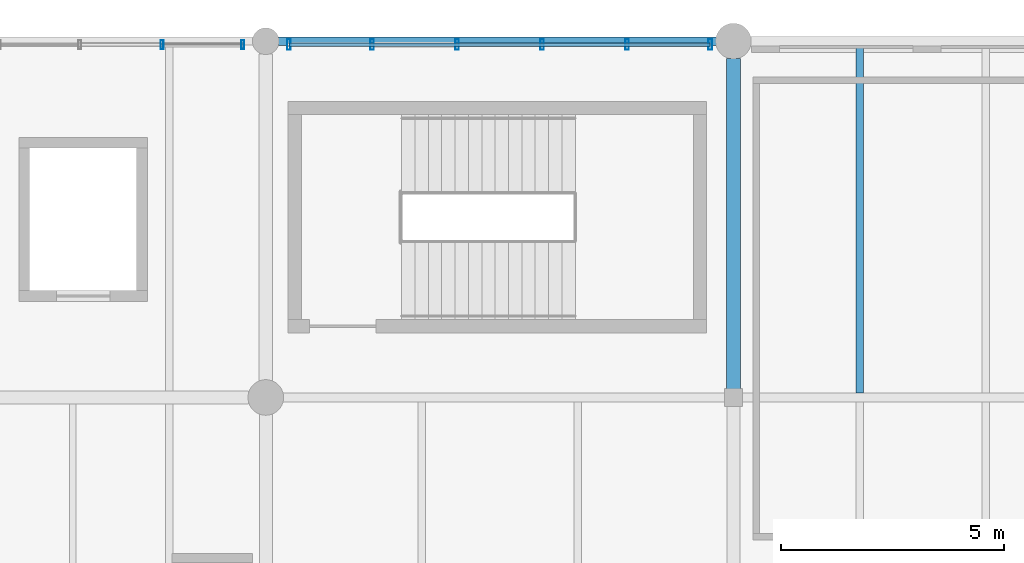
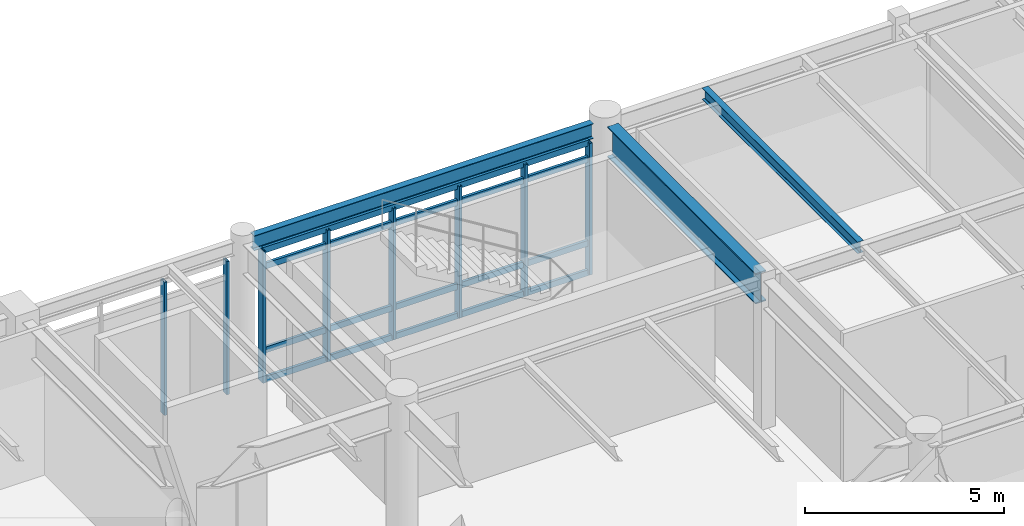
# One storey, part 144 of 200: 12 members, 3 beams, 2 elements without a shape of their own.
"""IFC4 building model written with IfcOpenShell, lengths in metres."""

from ifc_helpers import new_model, si_unit, direction, frame, origin, origin_2d, place, context, subcontext, project, spatial, hollow_rectangle, i_section, extrude, material, material_profile, profile_set, type_object, element, aggregate, save


model = new_model("IFC4")

# Units and contexts
model_context = context("Model", 3, precision=1e-05, world=origin(), true_north=direction((0.0, 1.0)))
body_context = subcontext(model_context, "Body", "Model", "MODEL_VIEW")
ifc_project = project(units=[si_unit("LENGTHUNIT", "METRE"), si_unit("AREAUNIT", "SQUARE_METRE"), si_unit("VOLUMEUNIT", "CUBIC_METRE"), si_unit("PLANEANGLEUNIT", "RADIAN"), si_unit("MASSUNIT", "GRAM", prefix="KILO"), si_unit("THERMODYNAMICTEMPERATUREUNIT", "KELVIN"), si_unit("POWERUNIT", "WATT")], contexts=[model_context])

# Site, building, storey
site_placement = place(None, origin())
site = spatial("IfcSite", under=ifc_project, at=site_placement, CompositionType="ELEMENT")
building_placement = place(site_placement, origin())
building = spatial("IfcBuilding", under=site, at=building_placement, Name="Tepalcoro Natatorium and Aquatics Centre", CompositionType="ELEMENT")
storey_placement = place(building_placement, frame((0.0, 0.0, 5.39990234375)))
storey = spatial("IfcBuildingStorey", under=building, at=storey_placement, Name="L01", CompositionType="ELEMENT", Elevation=5.39990234375)

# Beam
ifc_material_1 = material(Name="Steel ASTM A992 Grade 50 (Fy 345 MPa)", Category="steel")
ifc_material_profile_1 = material_profile(ifc_material_1, i_section(OverallWidth=0.31005859375, OverallDepth=0.931884765625, WebThickness=0.02099609375, FlangeThickness=0.034912109375, FilletRadius=0.013916015625, at=origin_2d()), Name="W36X210")
ifc_profile_set_1 = profile_set([ifc_material_profile_1], Name="Steel ASTM A992 Grade 50 (Fy 345 MPa)")
beam_type_1 = type_object("IfcBeamType", Name="BM_W36x210", PredefinedType="BEAM", material=ifc_profile_set_1)
beam_1_placement = place(storey_placement, frame((142.0, 110.18505859375, 4.0791015625), z_axis=(0.0, 1.0, 0.0), x_axis=(-1.0, 0.0, 0.0)))
element("IfcBeam", 1, at=beam_1_placement, inside=storey, type_object=beam_type_1, Name="V5 L01 Grid Girder Y", PredefinedType="BEAM", context=body_context, shape_type="SweptSolid", body=[
    extrude(i_section(OverallWidth=0.31005859375, OverallDepth=0.931884765625, WebThickness=0.02099609375, FlangeThickness=0.034912109375, FilletRadius=0.013916015625, at=origin_2d()), origin(), (0.0, 0.0, 1.0), 7.429931640625),
])

# Curtain wall, members
ifc_material_2 = material(Name="Bronze-Anodised Extruded Aluminium Alloy EN AW-6063 T6", Category="aluminium")
curtain_wall_type_1 = type_object("IfcCurtainWallType", Name="CW_LEAN_T2_EW", PredefinedType="USERDEFINED", material=ifc_material_2)
curtain_wall_1_placement = place(storey_placement, origin())
curtain_wall_1 = element("IfcCurtainWall", 2, at=curtain_wall_1_placement, inside=storey, type_object=curtain_wall_type_1, Name="V5 L01 N Unitised Curtain Wall Bay 4", ObjectType="FACETED SOLAR GLAZING", PredefinedType="USERDEFINED")
ifc_material_profile_2 = material_profile(ifc_material_2, hollow_rectangle(XDim=0.070068359375, YDim=0.199951171875, WallThickness=0.0048828125, at=origin_2d()), Name="AL70X200X5")
ifc_profile_set_2 = profile_set([ifc_material_profile_2], Name="Bronze-Anodised Extruded Aluminium Alloy EN AW-6063 T6")
member_type_1 = type_object("IfcMemberType", Name="CW_MUL_70x200", PredefinedType="MULLION", material=ifc_profile_set_2)
member_1_placement = place(storey_placement, frame((129.17333984375, 117.919921875, 0.02001953125), z_axis=(0.0, 0.0, 1.0), x_axis=(1.0, 0.0, 0.0)))
member_1 = element("IfcMember", 3, at=member_1_placement, type_object=member_type_1, Name="CW_LEAN_T2_EW Curtain Wall Mullion", PredefinedType="MULLION", context=body_context, shape_type="SweptSolid", body=[
    extrude(hollow_rectangle(XDim=0.070068359375, YDim=0.199951171875, WallThickness=0.0048828125, at=origin_2d()), origin(), (0.0, 0.0, 1.0), 4.0771484375),
])
member_2_placement = place(storey_placement, frame((130.97998046875, 117.919921875, 0.02001953125), z_axis=(0.0, 0.0, 1.0), x_axis=(1.0, 0.0, 0.0)))
member_2 = element("IfcMember", 4, at=member_2_placement, type_object=member_type_1, Name="CW_LEAN_T2_EW Curtain Wall Mullion", PredefinedType="MULLION", context=body_context, shape_type="SweptSolid", body=[
    extrude(hollow_rectangle(XDim=0.070068359375, YDim=0.199951171875, WallThickness=0.0048828125, at=origin_2d()), origin(), (0.0, 0.0, 1.0), 4.0771484375),
])
aggregate(curtain_wall_1, [member_1, member_2])

curtain_wall_type_2 = type_object("IfcCurtainWallType", Name="CW_V1_PLINTH", PredefinedType="USERDEFINED", material=ifc_material_2)
curtain_wall_2_placement = place(storey_placement, origin())
curtain_wall_2 = element("IfcCurtainWall", 5, at=curtain_wall_2_placement, inside=storey, type_object=curtain_wall_type_2, Name="V5 L01 N Unitised Curtain Wall Bay 5", ObjectType="UNITISED STOREFRONT", PredefinedType="USERDEFINED")
ifc_material_profile_3 = material_profile(ifc_material_2, hollow_rectangle(XDim=0.080078125, YDim=0.239990234375, WallThickness=0.0048828125, at=origin_2d()), Name="AL80X240X5")
ifc_profile_set_3 = profile_set([ifc_material_profile_3], Name="Bronze-Anodised Extruded Aluminium Alloy EN AW-6063 T6")
member_type_2 = type_object("IfcMemberType", Name="CW_MUL_80x240", PredefinedType="MULLION", material=ifc_profile_set_3)
member_3_placement = place(storey_placement, frame((132.02001953125, 117.923828125, 0.02001953125), z_axis=(0.0, 0.0, 1.0), x_axis=(1.0, 0.0, 0.0)))
member_3 = element("IfcMember", 6, at=member_3_placement, type_object=member_type_2, Name="CW_V1_PLINTH Curtain Wall Mullion", PredefinedType="MULLION", context=body_context, shape_type="SweptSolid", body=[
    extrude(hollow_rectangle(XDim=0.080078125, YDim=0.239990234375, WallThickness=0.0048828125, at=origin_2d()), origin(), (0.0, 0.0, 1.0), 4.030029296875),
])
member_4_placement = place(storey_placement, frame((133.887939453125, 117.923828125, 0.02001953125), z_axis=(0.0, 0.0, 1.0), x_axis=(1.0, 0.0, 0.0)))
member_4 = element("IfcMember", 7, at=member_4_placement, type_object=member_type_2, Name="CW_V1_PLINTH Curtain Wall Mullion", PredefinedType="MULLION", context=body_context, shape_type="SweptSolid", body=[
    extrude(hollow_rectangle(XDim=0.080078125, YDim=0.239990234375, WallThickness=0.0048828125, at=origin_2d()), origin(), (0.0, 0.0, 1.0), 4.030029296875),
])
member_5_placement = place(storey_placement, frame((135.7958984375, 117.923828125, 0.02001953125), z_axis=(0.0, 0.0, 1.0), x_axis=(1.0, 0.0, 0.0)))
member_5 = element("IfcMember", 8, at=member_5_placement, type_object=member_type_2, Name="CW_V1_PLINTH Curtain Wall Mullion", PredefinedType="MULLION", context=body_context, shape_type="SweptSolid", body=[
    extrude(hollow_rectangle(XDim=0.080078125, YDim=0.239990234375, WallThickness=0.0048828125, at=origin_2d()), origin(), (0.0, 0.0, 1.0), 4.030029296875),
])
member_6_placement = place(storey_placement, frame((137.7041015625, 117.923828125, 0.02001953125), z_axis=(0.0, 0.0, 1.0), x_axis=(1.0, 0.0, 0.0)))
member_6 = element("IfcMember", 9, at=member_6_placement, type_object=member_type_2, Name="CW_V1_PLINTH Curtain Wall Mullion", PredefinedType="MULLION", context=body_context, shape_type="SweptSolid", body=[
    extrude(hollow_rectangle(XDim=0.080078125, YDim=0.239990234375, WallThickness=0.0048828125, at=origin_2d()), origin(), (0.0, 0.0, 1.0), 4.030029296875),
])
member_7_placement = place(storey_placement, frame((139.612060546875, 117.923828125, 0.02001953125), z_axis=(0.0, 0.0, 1.0), x_axis=(1.0, 0.0, 0.0)))
member_7 = element("IfcMember", 10, at=member_7_placement, type_object=member_type_2, Name="CW_V1_PLINTH Curtain Wall Mullion", PredefinedType="MULLION", context=body_context, shape_type="SweptSolid", body=[
    extrude(hollow_rectangle(XDim=0.080078125, YDim=0.239990234375, WallThickness=0.0048828125, at=origin_2d()), origin(), (0.0, 0.0, 1.0), 4.030029296875),
])
member_8_placement = place(storey_placement, frame((141.47998046875, 117.923828125, 0.02001953125), z_axis=(0.0, 0.0, 1.0), x_axis=(1.0, 0.0, 0.0)))
member_8 = element("IfcMember", 11, at=member_8_placement, type_object=member_type_2, Name="CW_V1_PLINTH Curtain Wall Mullion", PredefinedType="MULLION", context=body_context, shape_type="SweptSolid", body=[
    extrude(hollow_rectangle(XDim=0.080078125, YDim=0.239990234375, WallThickness=0.0048828125, at=origin_2d()), origin(), (0.0, 0.0, 1.0), 4.030029296875),
])
ifc_material_profile_4 = material_profile(ifc_material_2, hollow_rectangle(XDim=0.080078125, YDim=0.179931640625, WallThickness=0.0048828125, at=origin_2d()), Name="AL80X180X5")
ifc_profile_set_4 = profile_set([ifc_material_profile_4], Name="Bronze-Anodised Extruded Aluminium Alloy EN AW-6063 T6")
member_type_3 = type_object("IfcMemberType", Name="CW_TRN_80x180", PredefinedType="USERDEFINED", material=ifc_profile_set_4)
member_9_placement = place(storey_placement, frame((132.030029296875, 117.923828125, 0.050048828125), z_axis=(1.0, 0.0, 0.0), x_axis=(0.0, 1.0, 0.0)))
member_9 = element("IfcMember", 12, at=member_9_placement, type_object=member_type_3, Name="CW_V1_PLINTH Curtain Wall Transom", ObjectType="TRANSOM", PredefinedType="USERDEFINED", context=body_context, shape_type="SweptSolid", body=[
    extrude(hollow_rectangle(XDim=0.080078125, YDim=0.179931640625, WallThickness=0.0048828125, at=origin_2d()), origin(), (0.0, 0.0, 1.0), 9.43994140625),
])
member_10_placement = place(storey_placement, frame((132.030029296875, 117.923828125, 0.9501953125), z_axis=(1.0, 0.0, 0.0), x_axis=(0.0, 1.0, 0.0)))
member_10 = element("IfcMember", 13, at=member_10_placement, type_object=member_type_3, Name="CW_V1_PLINTH Curtain Wall Transom", ObjectType="TRANSOM", PredefinedType="USERDEFINED", context=body_context, shape_type="SweptSolid", body=[
    extrude(hollow_rectangle(XDim=0.080078125, YDim=0.179931640625, WallThickness=0.0048828125, at=origin_2d()), origin(), (0.0, 0.0, 1.0), 9.43994140625),
])
member_11_placement = place(storey_placement, frame((132.030029296875, 117.923828125, 3.52001953125), z_axis=(1.0, 0.0, 0.0), x_axis=(0.0, 1.0, 0.0)))
member_11 = element("IfcMember", 14, at=member_11_placement, type_object=member_type_3, Name="CW_V1_PLINTH Curtain Wall Transom", ObjectType="TRANSOM", PredefinedType="USERDEFINED", context=body_context, shape_type="SweptSolid", body=[
    extrude(hollow_rectangle(XDim=0.080078125, YDim=0.179931640625, WallThickness=0.0048828125, at=origin_2d()), origin(), (0.0, 0.0, 1.0), 9.43994140625),
])
member_12_placement = place(storey_placement, frame((132.030029296875, 117.923828125, 4.02001953125), z_axis=(1.0, 0.0, 0.0), x_axis=(0.0, 1.0, 0.0)))
member_12 = element("IfcMember", 15, at=member_12_placement, type_object=member_type_3, Name="CW_V1_PLINTH Curtain Wall Transom", ObjectType="TRANSOM", PredefinedType="USERDEFINED", context=body_context, shape_type="SweptSolid", body=[
    extrude(hollow_rectangle(XDim=0.080078125, YDim=0.179931640625, WallThickness=0.0048828125, at=origin_2d()), origin(), (0.0, 0.0, 1.0), 9.43994140625),
])
aggregate(curtain_wall_2, [member_3, member_4, member_5, member_6, member_7, member_8, member_9, member_10, member_11, member_12])

# Beams
ifc_material_profile_5 = material_profile(ifc_material_1, i_section(OverallWidth=0.1708984375, OverallDepth=0.35107421875, WebThickness=0.007080078125, FlangeThickness=0.010009765625, FilletRadius=0.013916015625, at=origin_2d()), Name="W14X30")
ifc_profile_set_5 = profile_set([ifc_material_profile_5], Name="Steel ASTM A992 Grade 50 (Fy 345 MPa)")
beam_type_2 = type_object("IfcBeamType", Name="JS_W14x30", PredefinedType="JOIST", material=ifc_profile_set_5)
beam_2_placement = place(storey_placement, frame((144.833251953125, 110.096435546875, 4.36962890625), z_axis=(0.0, 1.0, 0.0), x_axis=(-1.0, 0.0, 0.0)))
element("IfcBeam", 16, at=beam_2_placement, inside=storey, type_object=beam_type_2, Name="V5 L01 Floor Joist", PredefinedType="JOIST", context=body_context, shape_type="SweptSolid", body=[
    extrude(i_section(OverallWidth=0.1708984375, OverallDepth=0.35107421875, WebThickness=0.007080078125, FlangeThickness=0.010009765625, FilletRadius=0.013916015625, at=origin_2d()), origin(), (0.0, 0.0, 1.0), 7.798583984375),
])
ifc_material_profile_6 = material_profile(ifc_material_1, i_section(OverallWidth=0.19091796875, OverallDepth=0.4599609375, WebThickness=0.010009765625, FlangeThickness=0.01611328125, FilletRadius=0.013916015625, at=origin_2d()), Name="W18X55")
ifc_profile_set_6 = profile_set([ifc_material_profile_6], Name="Steel ASTM A992 Grade 50 (Fy 345 MPa)")
beam_type_3 = type_object("IfcBeamType", Name="SP_W18x55", PredefinedType="SPANDREL", material=ifc_profile_set_6)
beam_3_placement = place(storey_placement, frame((131.784912109375, 118.0, 4.315185546875), z_axis=(1.0, 0.0, 0.0), x_axis=(0.0, 1.0, 0.0)))
element("IfcBeam", 17, at=beam_3_placement, inside=storey, type_object=beam_type_3, Name="V5 L01 Grid Girder X", PredefinedType="SPANDREL", context=body_context, shape_type="SweptSolid", body=[
    extrude(i_section(OverallWidth=0.19091796875, OverallDepth=0.4599609375, WebThickness=0.010009765625, FlangeThickness=0.01611328125, FilletRadius=0.013916015625, at=origin_2d()), origin(), (0.0, 0.0, 1.0), 9.830078125),
])

save(model, "model.ifc")
